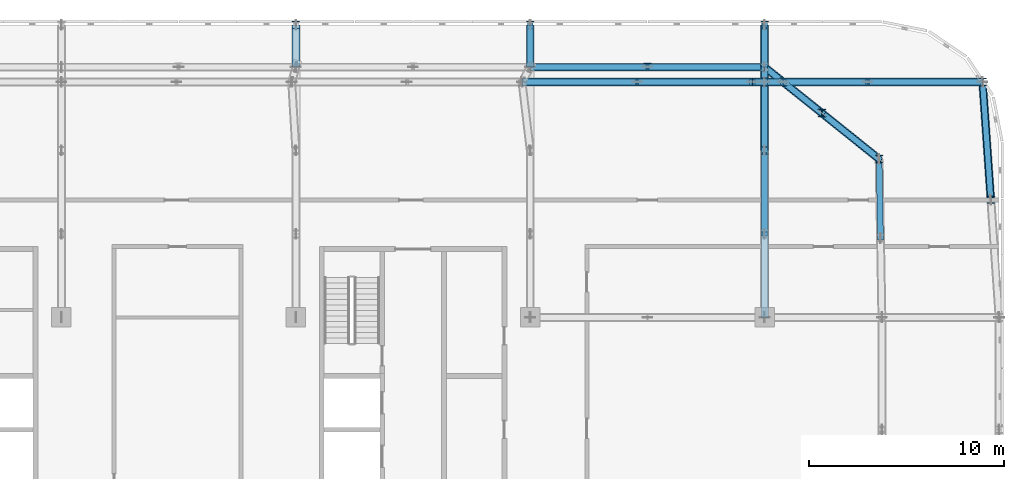
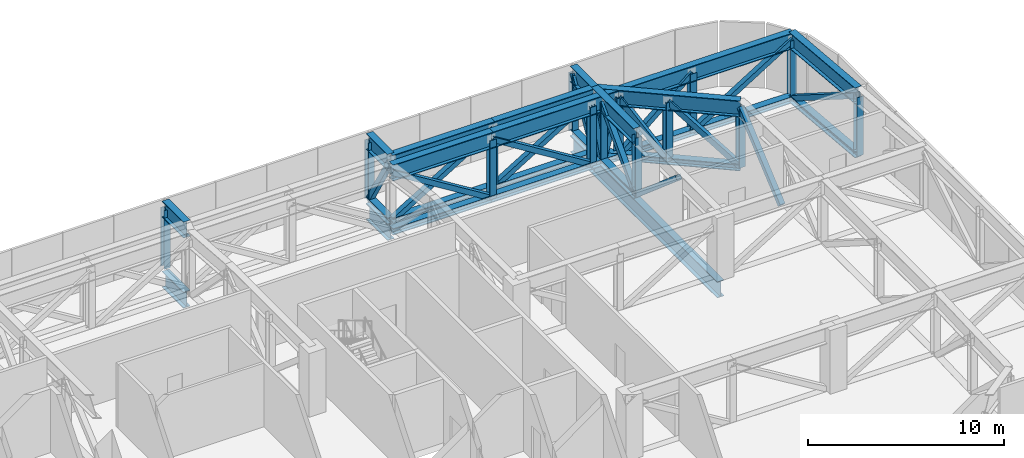
# One storey, part 11 of 29: 51 members, 4 beams.
"""IFC4 building model written with IfcOpenShell, lengths in metres."""

from ifc_helpers import new_model, si_unit, direction, frame, origin, origin_2d, place, context, subcontext, project, spatial, hollow_rectangle, i_section, extrude, material, material_profile, profile_set, type_object, element, save


model = new_model("IFC4")

# Units and contexts
model_context = context("Model", 3, precision=1e-05, world=origin(), true_north=direction((0.0, 1.0)))
body_context = subcontext(model_context, "Body", "Model", "MODEL_VIEW")
ifc_project = project(units=[si_unit("LENGTHUNIT", "METRE"), si_unit("AREAUNIT", "SQUARE_METRE"), si_unit("VOLUMEUNIT", "CUBIC_METRE"), si_unit("PLANEANGLEUNIT", "RADIAN"), si_unit("MASSUNIT", "GRAM", prefix="KILO")], contexts=[model_context])

# Site, building, storey
site_placement = place(None, origin())
site = spatial("IfcSite", under=ifc_project, at=site_placement, CompositionType="ELEMENT")
building_placement = place(site_placement, origin())
building = spatial("IfcBuilding", under=site, at=building_placement, Name="Mahtab Terrace Research Tower", CompositionType="ELEMENT")
storey_placement = place(building_placement, frame((0.0, 0.0, 259.0)))
storey = spatial("IfcBuildingStorey", under=building, at=storey_placement, Name="L63", CompositionType="ELEMENT", Elevation=259.0)

# Members
ifc_material_1 = material(Name="Steel ASTM A500 Gr C", Category="steel")
ifc_material_profile_1 = material_profile(ifc_material_1, hollow_rectangle(XDim=0.3046875, YDim=0.3046875, WallThickness=0.0126953125, at=origin_2d()), Name="HSS12X12X1/2")
ifc_profile_set_1 = profile_set([ifc_material_profile_1], Name="Steel ASTM A500 Gr C")
member_type_1 = type_object("IfcMemberType", Name="HSS 12x12x1/2 brace TD121212", PredefinedType="BRACE", material=ifc_profile_set_1)
member_1_placement = place(storey_placement, frame((35.470947265625, 23.5458984375, -0.19677734375), z_axis=(-0.849761419827, 0.0, 0.527167458568), x_axis=(0.0, -1.0, 0.0)))
element("IfcMember", 1, at=member_1_placement, inside=storey, type_object=member_type_1, Name="Transfer truss T7 diagonal 118", PredefinedType="BRACE", context=body_context, shape_type="SweptSolid", body=[
    extrude(hollow_rectangle(XDim=0.3046875, YDim=0.3046875, WallThickness=0.0126953125, at=origin_2d()), origin(), (0.0, 0.0, 1.0), 6.93603515625),
])
member_2_placement = place(storey_placement, frame((30.0, 26.472900390625, -0.19677734375), z_axis=(0.0, -0.50966381265, 0.860373638645), x_axis=(1.0, 0.0, 0.0)))
element("IfcMember", 2, at=member_2_placement, inside=storey, type_object=member_type_1, Name="Transfer truss T7 diagonal 120", PredefinedType="BRACE", context=body_context, shape_type="SweptSolid", body=[
    extrude(hollow_rectangle(XDim=0.3046875, YDim=0.3046875, WallThickness=0.0126953125, at=origin_2d()), origin(), (0.0, 0.0, 1.0), 4.25),
])
member_3_placement = place(storey_placement, frame((41.365966796875, 23.5458984375, -0.19677734375), z_axis=(-0.849800540202, 0.0, 0.527104393714), x_axis=(0.0, -1.0, 0.0)))
element("IfcMember", 3, at=member_3_placement, inside=storey, type_object=member_type_1, Name="Transfer truss T7 diagonal 122", PredefinedType="BRACE", context=body_context, shape_type="SweptSolid", body=[
    extrude(hollow_rectangle(XDim=0.3046875, YDim=0.3046875, WallThickness=0.0126953125, at=origin_2d()), origin(), (0.0, 0.0, 1.0), 6.93701171875),
])
member_4_placement = place(storey_placement, frame((30.0, 24.306884765625, -0.19677734375), z_axis=(0.853925355754, 0.0, 0.520395509974), x_axis=(0.0, 1.0, 0.0)))
element("IfcMember", 4, at=member_4_placement, inside=storey, type_object=member_type_1, Name="Transfer truss T7 diagonal 126", PredefinedType="BRACE", context=body_context, shape_type="SweptSolid", body=[
    extrude(hollow_rectangle(XDim=0.3046875, YDim=0.3046875, WallThickness=0.0126953125, at=origin_2d()), origin(), (0.0, 0.0, 1.0), 7.0263671875),
])
member_5_placement = place(storey_placement, frame((42.0, 23.5458984375, -0.19677734375), z_axis=(-0.170849740062, 0.0, 0.985297095459), x_axis=(0.0, -1.0, 0.0)))
element("IfcMember", 5, at=member_5_placement, inside=storey, type_object=member_type_1, Name="Transfer truss T7 diagonal 128", PredefinedType="BRACE", context=body_context, shape_type="SweptSolid", body=[
    extrude(hollow_rectangle(XDim=0.3046875, YDim=0.3046875, WallThickness=0.0126953125, at=origin_2d()), origin(), (0.0, 0.0, 1.0), 3.7109375),
])
member_6_placement = place(storey_placement, frame((42.0, 20.0380859375, -0.19677734375), z_axis=(0.0, -0.759492630748, 0.650515905908), x_axis=(1.0, 0.0, 0.0)))
element("IfcMember", 6, at=member_6_placement, inside=storey, type_object=member_type_1, Name="Transfer truss T7 diagonal 136", PredefinedType="BRACE", context=body_context, shape_type="SweptSolid", body=[
    extrude(hollow_rectangle(XDim=0.3046875, YDim=0.3046875, WallThickness=0.0126953125, at=origin_2d()), origin(), (0.0, 0.0, 1.0), 5.620849609375),
])
member_7_placement = place(storey_placement, frame((42.0, 20.0380859375, -0.19677734375), z_axis=(0.0, 0.692283052503, 0.721626063289), x_axis=(-1.0, 0.0, 0.0)))
element("IfcMember", 7, at=member_7_placement, inside=storey, type_object=member_type_1, Name="Transfer truss T7 diagonal 137", PredefinedType="BRACE", context=body_context, shape_type="SweptSolid", body=[
    extrude(hollow_rectangle(XDim=0.3046875, YDim=0.3046875, WallThickness=0.0126953125, at=origin_2d()), origin(), (0.0, 0.0, 1.0), 5.067138671875),
])
member_8_placement = place(storey_placement, frame((42.0, 24.306884765625, -0.19677734375), z_axis=(0.0, -0.203753250193, 0.979022274024), x_axis=(1.0, 0.0, 0.0)))
element("IfcMember", 8, at=member_8_placement, inside=storey, type_object=member_type_1, Name="Transfer truss T7 diagonal 138", PredefinedType="BRACE", context=body_context, shape_type="SweptSolid", body=[
    extrude(hollow_rectangle(XDim=0.3046875, YDim=0.3046875, WallThickness=0.0126953125, at=origin_2d()), origin(), (0.0, 0.0, 1.0), 3.73486328125),
])
member_9_placement = place(storey_placement, frame((42.0, 23.5458984375, -0.19677734375), z_axis=(0.250966644817, 0.0, 0.967995735109), x_axis=(0.0, 1.0, 0.0)))
element("IfcMember", 9, at=member_9_placement, inside=storey, type_object=member_type_1, Name="Transfer truss T7 diagonal 139", PredefinedType="BRACE", context=body_context, shape_type="SweptSolid", body=[
    extrude(hollow_rectangle(XDim=0.3046875, YDim=0.3046875, WallThickness=0.0126953125, at=origin_2d()), origin(), (0.0, 0.0, 1.0), 3.77734375),
])
member_10_placement = place(storey_placement, frame((36.0, 24.306884765625, -0.19677734375), z_axis=(0.853925355754, 0.0, 0.520395509974), x_axis=(0.0, 1.0, 0.0)))
element("IfcMember", 10, at=member_10_placement, inside=storey, type_object=member_type_1, Name="Transfer truss T7 diagonal 140", PredefinedType="BRACE", context=body_context, shape_type="SweptSolid", body=[
    extrude(hollow_rectangle(XDim=0.3046875, YDim=0.3046875, WallThickness=0.0126953125, at=origin_2d()), origin(), (0.0, 0.0, 1.0), 7.0263671875),
])
member_11_placement = place(storey_placement, frame((42.0, 24.306884765625, -0.19677734375), z_axis=(0.0, 0.50966381265, 0.860373638645), x_axis=(-1.0, 0.0, 0.0)))
element("IfcMember", 11, at=member_11_placement, inside=storey, type_object=member_type_1, Name="Transfer truss T7 diagonal 141", PredefinedType="BRACE", context=body_context, shape_type="SweptSolid", body=[
    extrude(hollow_rectangle(XDim=0.3046875, YDim=0.3046875, WallThickness=0.0126953125, at=origin_2d()), origin(), (0.0, 0.0, 1.0), 4.25),
])
member_12_placement = place(storey_placement, frame((42.0, 24.306884765625, -0.19677734375), z_axis=(0.246023799313, -0.19749064704, 0.948930837576), x_axis=(0.62599224264, 0.779829283981, 0.0)))
element("IfcMember", 12, at=member_12_placement, inside=storey, type_object=member_type_1, Name="Transfer truss T7 diagonal 144", PredefinedType="BRACE", context=body_context, shape_type="SweptSolid", body=[
    extrude(hollow_rectangle(XDim=0.3046875, YDim=0.3046875, WallThickness=0.0126953125, at=origin_2d()), origin(), (0.0, 0.0, 1.0), 3.853271484375),
])
member_13_placement = place(storey_placement, frame((42.947998046875, 23.5458984375, -0.19677734375), z_axis=(0.762699541332, 0.0, 0.646752974212), x_axis=(0.0, 1.0, 0.0)))
element("IfcMember", 13, at=member_13_placement, inside=storey, type_object=member_type_1, Name="Transfer truss T7 diagonal 145", PredefinedType="BRACE", context=body_context, shape_type="SweptSolid", body=[
    extrude(hollow_rectangle(XDim=0.3046875, YDim=0.3046875, WallThickness=0.0126953125, at=origin_2d()), origin(), (0.0, 0.0, 1.0), 5.653564453125),
])
member_14_placement = place(storey_placement, frame((44.927978515625, 21.9560546875, -0.19677734375), z_axis=(-0.444766800085, 0.357129642682, 0.821365273103), x_axis=(-0.626101044259, -0.779741933192, 0.0)))
element("IfcMember", 14, at=member_14_placement, inside=storey, type_object=member_type_1, Name="Transfer truss T7 diagonal 147", PredefinedType="BRACE", context=body_context, shape_type="SweptSolid", body=[
    extrude(hollow_rectangle(XDim=0.3046875, YDim=0.3046875, WallThickness=0.0126953125, at=origin_2d()), origin(), (0.0, 0.0, 1.0), 4.45166015625),
])
member_15_placement = place(storey_placement, frame((47.260009765625, 23.5458984375, -0.19677734375), z_axis=(0.849761419827, 0.0, 0.527167458568), x_axis=(0.0, 1.0, 0.0)))
element("IfcMember", 15, at=member_15_placement, inside=storey, type_object=member_type_1, Name="Transfer truss T7 diagonal 149", PredefinedType="BRACE", context=body_context, shape_type="SweptSolid", body=[
    extrude(hollow_rectangle(XDim=0.3046875, YDim=0.3046875, WallThickness=0.0126953125, at=origin_2d()), origin(), (0.0, 0.0, 1.0), 6.93603515625),
])
member_16_placement = place(storey_placement, frame((47.85693359375, 19.60498046875, -0.19677734375), z_axis=(-0.558770881275, 0.448525763664, 0.697567015826), x_axis=(-0.62597840738, -0.779840389755, 0.0)))
element("IfcMember", 16, at=member_16_placement, inside=storey, type_object=member_type_1, Name="Transfer truss T7 diagonal 151", PredefinedType="BRACE", context=body_context, shape_type="SweptSolid", body=[
    extrude(hollow_rectangle(XDim=0.3046875, YDim=0.3046875, WallThickness=0.0126953125, at=origin_2d()), origin(), (0.0, 0.0, 1.0), 5.24169921875),
])
member_17_placement = place(storey_placement, frame((47.927978515625, 15.552978515625, -0.19677734375), z_axis=(-0.013015794998, 0.742347593078, 0.669888528139), x_axis=(-0.999846327316, -0.017530594761, 0.0)))
element("IfcMember", 17, at=member_17_placement, inside=storey, type_object=member_type_1, Name="Transfer truss T7 diagonal 153", PredefinedType="BRACE", context=body_context, shape_type="SweptSolid", body=[
    extrude(hollow_rectangle(XDim=0.3046875, YDim=0.3046875, WallThickness=0.0126953125, at=origin_2d()), origin(), (0.0, 0.0, 1.0), 5.458251953125),
])
member_18_placement = place(storey_placement, frame((53.154052734375, 23.5458984375, -0.19677734375), z_axis=(0.05990536569, -0.853270999754, 0.51801539373), x_axis=(0.997544580937, 0.07003434188, 0.0)))
element("IfcMember", 18, at=member_18_placement, inside=storey, type_object=member_type_1, Name="Transfer truss T7 diagonal 159", PredefinedType="BRACE", context=body_context, shape_type="SweptSolid", body=[
    extrude(hollow_rectangle(XDim=0.3046875, YDim=0.3046875, WallThickness=0.0126953125, at=origin_2d()), origin(), (0.0, 0.0, 1.0), 7.05859375),
])
ifc_material_2 = material(Name="Steel ASTM A992 Gr 50", Category="steel")
ifc_material_profile_2 = material_profile(ifc_material_2, i_section(OverallWidth=0.373291015625, OverallDepth=0.373291015625, WebThickness=0.016357421875, FlangeThickness=0.026123046875, at=origin_2d()), Name="W14X132")
ifc_profile_set_2 = profile_set([ifc_material_profile_2], Name="Steel ASTM A992 Gr 50")
member_type_2 = type_object("IfcMemberType", Name="W14x132 post TP14132", PredefinedType="POST", material=ifc_profile_set_2)
for number, where, z_axis, x_axis, name in (
    (19, (18.0, 26.469970703125, -0.19677734375), (0.0, 0.0, 1.0), (1.0, 0.0, 0.0), "Transfer truss T7 post 090"),
    (20, (30.0, 26.469970703125, -0.19677734375), (0.0, 0.0, 1.0), (1.0, 0.0, 0.0), "Transfer truss T7 post 105"),
    (21, (35.469970703125, 23.550048828125, -0.19677734375), (0.0, 0.0, 1.0), (1.0, 0.0, 0.0), "Transfer truss T7 post 107"),
    (22, (36.0, 24.31005859375, -0.19677734375), (0.0, 0.0, 1.0), (1.0, 0.0, 0.0), "Transfer truss T7 post 111"),
    (23, (41.3701171875, 23.550048828125, -0.19677734375), (0.0, 0.0, 1.0), (1.0, 0.0, 0.0), "Transfer truss T7 post 113"),
    (24, (42.0, 20.0400390625, -0.19677734375), (0.0, 0.0, 1.0), (1.0, 0.0, 0.0), "Transfer truss T7 post 120"),
    (25, (42.0, 23.550048828125, -0.19677734375), (0.0, 0.0, 1.0), (1.0, 0.0, 0.0), "Transfer truss T7 post 121"),
    (26, (42.0, 26.469970703125, -0.19677734375), (0.0, 0.0, 1.0), (1.0, 0.0, 0.0), "Transfer truss T7 post 123"),
    (27, (42.949951171875, 23.550048828125, -0.19677734375), (0.0, 0.0, 1.0), (1.0, 0.0, 0.0), "Transfer truss T7 post 125"),
    (28, (44.929931640625, 21.9599609375, -0.19677734375), (0.0, 0.0, 1.0), (1.0, 0.0, 0.0), "Transfer truss T7 post 127"),
    (29, (47.260009765625, 23.550048828125, -0.19677734375), (0.0, 0.0, 1.0), (1.0, 0.0, 0.0), "Transfer truss T7 post 129"),
    (30, (47.860107421875, 19.610107421875, -0.19677734375), (0.0, 0.0, 1.0), (1.0, 0.0, 0.0), "Transfer truss T7 post 131"),
    (31, (53.14990234375, 23.550048828125, -0.19677734375), (0.0, 0.0, 1.0), (1.0, 0.0, 0.0), "Transfer truss T7 post 138"),
    (32, (53.580078125, 17.52001953125, -0.19677734375), (0.0, 0.0, 1.0), (1.0, 0.0, 0.0), "Transfer truss T7 post 140"),
):
    element("IfcMember", number, at=place(storey_placement, frame(where, z_axis=z_axis, x_axis=x_axis)), inside=storey, type_object=member_type_2, Name=name, PredefinedType="POST", context=body_context, shape_type="SweptSolid", body=[
        extrude(i_section(OverallWidth=0.373291015625, OverallDepth=0.373291015625, WebThickness=0.016357421875, FlangeThickness=0.026123046875, at=origin_2d()), origin(), (0.0, 0.0, 1.0), 3.656494140625),
    ])
ifc_material_profile_3 = material_profile(ifc_material_2, i_section(OverallWidth=0.40380859375, OverallDepth=0.406494140625, WebThickness=0.027099609375, FlangeThickness=0.043701171875, at=origin_2d()), Name="W14X233")
ifc_profile_set_3 = profile_set([ifc_material_profile_3], Name="Steel ASTM A992 Gr 50")
member_type_3 = type_object("IfcMemberType", Name="W14x233 chord TC14233", PredefinedType="CHORD", material=ifc_profile_set_3)
member_19_placement = place(storey_placement, frame((42.0, 24.306884765625, -0.19677734375), z_axis=(-1.0, 0.0, 0.0), x_axis=(0.0, -1.0, 0.0)))
element("IfcMember", 33, at=member_19_placement, inside=storey, type_object=member_type_3, Name="Transfer truss T7 bottom chord 010", PredefinedType="CHORD", context=body_context, shape_type="SweptSolid", body=[
    extrude(i_section(OverallWidth=0.40380859375, OverallDepth=0.406494140625, WebThickness=0.027099609375, FlangeThickness=0.043701171875, at=origin_2d()), origin(), (0.0, 0.0, 1.0), 12.0),
])
member_20_placement = place(storey_placement, frame((29.576904296875, 23.5458984375, -0.19677734375), z_axis=(1.0, 0.0, 0.0), x_axis=(0.0, 1.0, 0.0)))
element("IfcMember", 34, at=member_20_placement, inside=storey, type_object=member_type_3, Name="Transfer truss T7 bottom chord 033", PredefinedType="CHORD", context=body_context, shape_type="SweptSolid", body=[
    extrude(i_section(OverallWidth=0.40380859375, OverallDepth=0.406494140625, WebThickness=0.027099609375, FlangeThickness=0.043701171875, at=origin_2d()), origin(), (0.0, 0.0, 1.0), 11.7890625),
])
member_21_placement = place(storey_placement, frame((41.365966796875, 23.5458984375, -0.19677734375), z_axis=(1.0, 0.0, 0.0), x_axis=(0.0, 1.0, 0.0)))
element("IfcMember", 35, at=member_21_placement, inside=storey, type_object=member_type_3, Name="Transfer truss T7 bottom chord 034", PredefinedType="CHORD", context=body_context, shape_type="SweptSolid", body=[
    extrude(i_section(OverallWidth=0.40380859375, OverallDepth=0.406494140625, WebThickness=0.027099609375, FlangeThickness=0.043701171875, at=origin_2d()), origin(), (0.0, 0.0, 1.0), 11.7880859375),
])
member_22_placement = place(storey_placement, frame((30.0, 24.306884765625, -0.19677734375), z_axis=(0.0, 1.0, 0.0), x_axis=(-1.0, 0.0, 0.0)))
element("IfcMember", 36, at=member_22_placement, inside=storey, type_object=member_type_3, Name="Transfer truss T7 bottom chord 082", PredefinedType="CHORD", context=body_context, shape_type="SweptSolid", body=[
    extrude(i_section(OverallWidth=0.40380859375, OverallDepth=0.406494140625, WebThickness=0.027099609375, FlangeThickness=0.043701171875, at=origin_2d()), origin(), (0.0, 0.0, 1.0), 2.166015625),
])
member_23_placement = place(storey_placement, frame((42.0, 20.0380859375, -0.19677734375), z_axis=(0.0, 1.0, 0.0), x_axis=(-1.0, 0.0, 0.0)))
element("IfcMember", 37, at=member_23_placement, inside=storey, type_object=member_type_3, Name="Transfer truss T7 bottom chord 087", PredefinedType="CHORD", context=body_context, shape_type="SweptSolid", body=[
    extrude(i_section(OverallWidth=0.40380859375, OverallDepth=0.406494140625, WebThickness=0.027099609375, FlangeThickness=0.043701171875, at=origin_2d()), origin(), (0.0, 0.0, 1.0), 4.268798828125),
])
member_24_placement = place(storey_placement, frame((42.0, 24.306884765625, -0.19677734375), z_axis=(0.0, 1.0, 0.0), x_axis=(-1.0, 0.0, 0.0)))
element("IfcMember", 38, at=member_24_placement, inside=storey, type_object=member_type_3, Name="Transfer truss T7 bottom chord 088", PredefinedType="CHORD", context=body_context, shape_type="SweptSolid", body=[
    extrude(i_section(OverallWidth=0.40380859375, OverallDepth=0.406494140625, WebThickness=0.027099609375, FlangeThickness=0.043701171875, at=origin_2d()), origin(), (0.0, 0.0, 1.0), 2.166015625),
])
member_25_placement = place(storey_placement, frame((47.85693359375, 19.60498046875, -0.19677734375), z_axis=(-0.779805307608, 0.626022110014, 0.0), x_axis=(-0.626022110014, -0.779805307608, 0.0)))
element("IfcMember", 39, at=member_25_placement, inside=storey, type_object=member_type_3, Name="Transfer truss T7 bottom chord 089", PredefinedType="CHORD", context=body_context, shape_type="SweptSolid", body=[
    extrude(i_section(OverallWidth=0.40380859375, OverallDepth=0.406494140625, WebThickness=0.027099609375, FlangeThickness=0.043701171875, at=origin_2d()), origin(), (0.0, 0.0, 1.0), 7.5107421875),
])
member_26_placement = place(storey_placement, frame((53.154052734375, 23.5458984375, -0.19677734375), z_axis=(0.07003434188, -0.997544580937, 0.0), x_axis=(0.997544580937, 0.07003434188, 0.0)))
element("IfcMember", 40, at=member_26_placement, inside=storey, type_object=member_type_3, Name="Transfer truss T7 bottom chord 094", PredefinedType="CHORD", context=body_context, shape_type="SweptSolid", body=[
    extrude(i_section(OverallWidth=0.40380859375, OverallDepth=0.406494140625, WebThickness=0.027099609375, FlangeThickness=0.043701171875, at=origin_2d()), origin(), (0.0, 0.0, 1.0), 6.037841796875),
])
ifc_material_profile_4 = material_profile(ifc_material_2, i_section(OverallWidth=0.4013671875, OverallDepth=1.000732421875, WebThickness=0.01904296875, FlangeThickness=0.0361328125, at=origin_2d()), Name="W40X249")
ifc_profile_set_4 = profile_set([ifc_material_profile_4], Name="Steel ASTM A992 Gr 50")
member_type_4 = type_object("IfcMemberType", Name="W40x249 chord TT40249", PredefinedType="CHORD", material=ifc_profile_set_4)
for number, where, z_axis, x_axis, name in (
    (41, (42.0, 24.306884765625, 3.459716796875), (-1.0, 0.0, 0.0), (0.0, -1.0, 0.0), "Transfer truss T7 top chord 012"),
    (42, (36.0, 24.306884765625, 3.459716796875), (-1.0, 0.0, 0.0), (0.0, -1.0, 0.0), "Transfer truss T7 top chord 013"),
):
    element("IfcMember", number, at=place(storey_placement, frame(where, z_axis=z_axis, x_axis=x_axis)), inside=storey, type_object=member_type_4, Name=name, PredefinedType="CHORD", context=body_context, shape_type="SweptSolid", body=[
        extrude(i_section(OverallWidth=0.4013671875, OverallDepth=1.000732421875, WebThickness=0.01904296875, FlangeThickness=0.0361328125, at=origin_2d()), origin(), (0.0, 0.0, 1.0), 6.0),
    ])
member_27_placement = place(storey_placement, frame((29.576904296875, 23.5458984375, 3.459716796875), z_axis=(1.0, 0.0, 0.0), x_axis=(0.0, 1.0, 0.0)))
element("IfcMember", 43, at=member_27_placement, inside=storey, type_object=member_type_4, Name="Transfer truss T7 top chord 053", PredefinedType="CHORD", context=body_context, shape_type="SweptSolid", body=[
    extrude(i_section(OverallWidth=0.4013671875, OverallDepth=1.000732421875, WebThickness=0.01904296875, FlangeThickness=0.0361328125, at=origin_2d()), origin(), (0.0, 0.0, 1.0), 5.89404296875),
])
member_28_placement = place(storey_placement, frame((35.470947265625, 23.5458984375, 3.459716796875), z_axis=(1.0, 0.0, 0.0), x_axis=(0.0, 1.0, 0.0)))
element("IfcMember", 44, at=member_28_placement, inside=storey, type_object=member_type_4, Name="Transfer truss T7 top chord 054", PredefinedType="CHORD", context=body_context, shape_type="SweptSolid", body=[
    extrude(i_section(OverallWidth=0.4013671875, OverallDepth=1.000732421875, WebThickness=0.01904296875, FlangeThickness=0.0361328125, at=origin_2d()), origin(), (0.0, 0.0, 1.0), 7.47705078125),
])
member_29_placement = place(storey_placement, frame((42.947998046875, 23.5458984375, 3.459716796875), z_axis=(1.0, 0.0, 0.0), x_axis=(0.0, 1.0, 0.0)))
element("IfcMember", 45, at=member_29_placement, inside=storey, type_object=member_type_4, Name="Transfer truss T7 top chord 055", PredefinedType="CHORD", context=body_context, shape_type="SweptSolid", body=[
    extrude(i_section(OverallWidth=0.4013671875, OverallDepth=1.000732421875, WebThickness=0.01904296875, FlangeThickness=0.0361328125, at=origin_2d()), origin(), (0.0, 0.0, 1.0), 10.2060546875),
])
for number, where, z_axis, x_axis, name in (
    (46, (18.0, 24.306884765625, 3.459716796875), (0.0, 1.0, 0.0), (-1.0, 0.0, 0.0), "Transfer truss T7 top chord 095"),
    (47, (30.0, 24.306884765625, 3.459716796875), (0.0, 1.0, 0.0), (-1.0, 0.0, 0.0), "Transfer truss T7 top chord 110"),
):
    element("IfcMember", number, at=place(storey_placement, frame(where, z_axis=z_axis, x_axis=x_axis)), inside=storey, type_object=member_type_4, Name=name, PredefinedType="CHORD", context=body_context, shape_type="SweptSolid", body=[
        extrude(i_section(OverallWidth=0.4013671875, OverallDepth=1.000732421875, WebThickness=0.01904296875, FlangeThickness=0.0361328125, at=origin_2d()), origin(), (0.0, 0.0, 1.0), 2.166015625),
    ])
member_30_placement = place(storey_placement, frame((42.0, 20.0380859375, 3.459716796875), z_axis=(0.0, 1.0, 0.0), x_axis=(-1.0, 0.0, 0.0)))
element("IfcMember", 48, at=member_30_placement, inside=storey, type_object=member_type_4, Name="Transfer truss T7 top chord 115", PredefinedType="CHORD", context=body_context, shape_type="SweptSolid", body=[
    extrude(i_section(OverallWidth=0.4013671875, OverallDepth=1.000732421875, WebThickness=0.01904296875, FlangeThickness=0.0361328125, at=origin_2d()), origin(), (0.0, 0.0, 1.0), 4.268798828125),
])
member_31_placement = place(storey_placement, frame((42.0, 24.306884765625, 3.459716796875), z_axis=(0.0, 1.0, 0.0), x_axis=(-1.0, 0.0, 0.0)))
element("IfcMember", 49, at=member_31_placement, inside=storey, type_object=member_type_4, Name="Transfer truss T7 top chord 116", PredefinedType="CHORD", context=body_context, shape_type="SweptSolid", body=[
    extrude(i_section(OverallWidth=0.4013671875, OverallDepth=1.000732421875, WebThickness=0.01904296875, FlangeThickness=0.0361328125, at=origin_2d()), origin(), (0.0, 0.0, 1.0), 2.166015625),
])
member_32_placement = place(storey_placement, frame((47.85693359375, 19.60498046875, 3.459716796875), z_axis=(-0.779805307608, 0.626022110014, 0.0), x_axis=(-0.626022110014, -0.779805307608, 0.0)))
element("IfcMember", 50, at=member_32_placement, inside=storey, type_object=member_type_4, Name="Transfer truss T7 top chord 117", PredefinedType="CHORD", context=body_context, shape_type="SweptSolid", body=[
    extrude(i_section(OverallWidth=0.4013671875, OverallDepth=1.000732421875, WebThickness=0.01904296875, FlangeThickness=0.0361328125, at=origin_2d()), origin(), (0.0, 0.0, 1.0), 7.5107421875),
])
member_33_placement = place(storey_placement, frame((53.154052734375, 23.5458984375, 3.459716796875), z_axis=(0.07003434188, -0.997544580937, 0.0), x_axis=(0.997544580937, 0.07003434188, 0.0)))
element("IfcMember", 51, at=member_33_placement, inside=storey, type_object=member_type_4, Name="Transfer truss T7 top chord 123", PredefinedType="CHORD", context=body_context, shape_type="SweptSolid", body=[
    extrude(i_section(OverallWidth=0.4013671875, OverallDepth=1.000732421875, WebThickness=0.01904296875, FlangeThickness=0.0361328125, at=origin_2d()), origin(), (0.0, 0.0, 1.0), 6.037841796875),
])

# Beams
ifc_material_profile_5 = material_profile(ifc_material_2, i_section(OverallWidth=0.4013671875, OverallDepth=1.000732421875, WebThickness=0.01904296875, FlangeThickness=0.0361328125, at=origin_2d()), Name="W40X249")
ifc_profile_set_5 = profile_set([ifc_material_profile_5], Name="Steel ASTM A992 Gr 50")
beam_type = type_object("IfcBeamType", Name="W40x249 transfer girder TG40249", PredefinedType="BEAM", material=ifc_profile_set_5)
beam_placement = place(storey_placement, frame((42.0, 11.5, -0.8984375), z_axis=(0.0, 1.0, 0.0), x_axis=(-1.0, 0.0, 0.0)))
element("IfcBeam", 52, at=beam_placement, inside=storey, type_object=beam_type, Name="Transfer girder T7 01", PredefinedType="BEAM", context=body_context, shape_type="SweptSolid", body=[
    extrude(i_section(OverallWidth=0.4013671875, OverallDepth=1.000732421875, WebThickness=0.01904296875, FlangeThickness=0.0361328125, at=origin_2d()), origin(), (0.0, 0.0, 1.0), 12.806884765625),
])
for number, where, z_axis, x_axis, name in (
    (53, (42.0, 24.306884765625, -0.8984375), (0.0, 1.0, 0.0), (-1.0, 0.0, 0.0), "Transfer girder T7 02"),
    (54, (30.0, 24.306884765625, -0.8984375), (0.0, 1.0, 0.0), (-1.0, 0.0, 0.0), "Transfer girder T7 04"),
    (55, (18.0, 24.306884765625, -0.8984375), (0.0, 1.0, 0.0), (-1.0, 0.0, 0.0), "Transfer girder T7 06"),
):
    element("IfcBeam", number, at=place(storey_placement, frame(where, z_axis=z_axis, x_axis=x_axis)), inside=storey, type_object=beam_type, Name=name, PredefinedType="BEAM", context=body_context, shape_type="SweptSolid", body=[
        extrude(i_section(OverallWidth=0.4013671875, OverallDepth=1.000732421875, WebThickness=0.01904296875, FlangeThickness=0.0361328125, at=origin_2d()), origin(), (0.0, 0.0, 1.0), 2.166015625),
    ])

save(model, "model.ifc")
